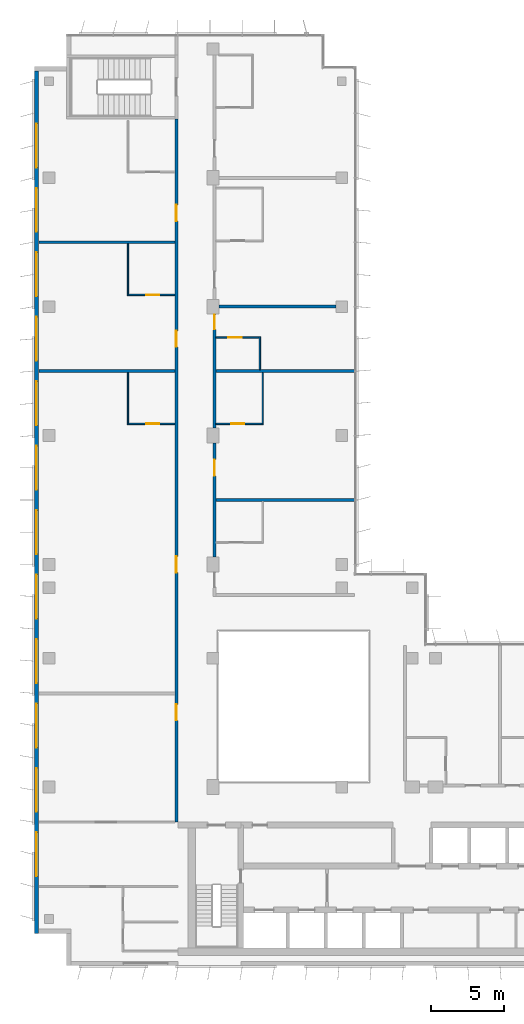
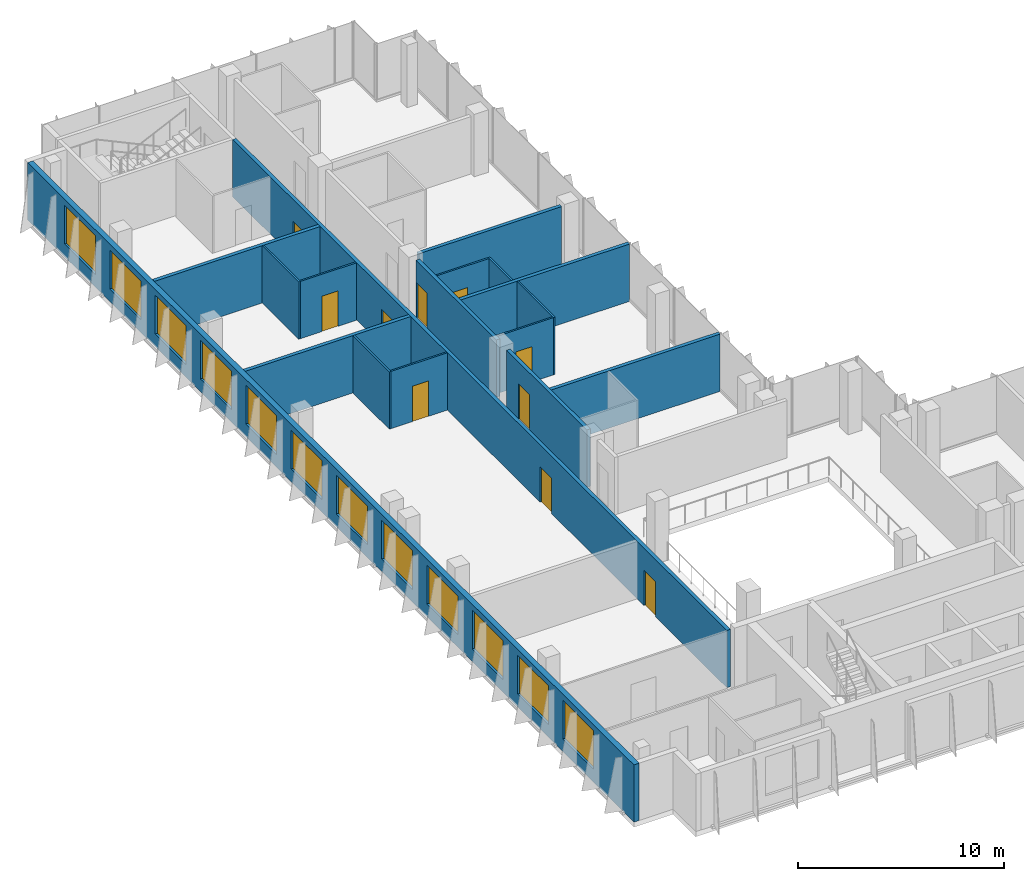
# One storey, part 11 of 15: 17 walls, 12 windows, 10 doors, 22 openings.
"""IFC4 building model written with IfcOpenShell, lengths in metres."""

from ifc_helpers import new_model, si_unit, direction, frame, frame_2d, origin, place, context, subcontext, project, spatial, rectangle, extrude, material, layer, layer_set, type_object, element, fill, save


model = new_model("IFC4")

# Units and contexts
model_context = context("Model", 3, precision=1e-05, world=origin(), true_north=direction((0.0, 1.0)))
body_context = subcontext(model_context, "Body", "Model", "MODEL_VIEW")
ifc_project = project(units=[si_unit("LENGTHUNIT", "METRE"), si_unit("AREAUNIT", "SQUARE_METRE"), si_unit("VOLUMEUNIT", "CUBIC_METRE"), si_unit("PLANEANGLEUNIT", "RADIAN"), si_unit("MASSUNIT", "GRAM", prefix="KILO")], contexts=[model_context])

# Site, building, storey
site_placement = place(None, origin())
site = spatial("IfcSite", under=ifc_project, at=site_placement, CompositionType="ELEMENT")
building_placement = place(site_placement, origin())
building = spatial("IfcBuilding", under=site, at=building_placement, Name="Kemantara Hotel Tower", CompositionType="ELEMENT")
storey_placement = place(building_placement, frame((0.0, 0.0, 301.800048828125)))
storey = spatial("IfcBuildingStorey", under=building, at=storey_placement, Name="L76", CompositionType="ELEMENT", Elevation=301.800048828125)

# Wall, openings, windows
ifc_material_1 = material(Name="Bronze anodised aluminium cladding on insulated steel stud wall", Category="steel")
ifc_layer_1 = layer(ifc_material_1, 0.300048828125)
ifc_layer_set_1 = layer_set([ifc_layer_1], Name="Bronze anodised aluminium cladding on insulated steel stud wall")
wall_type_1 = type_object("IfcWallType", Name="BRONZE METAL-CLAD EXTERNAL WALL 300", PredefinedType="STANDARD", material=ifc_layer_set_1)
wall_1_placement = place(storey_placement, frame((0.14990234375, 61.10009765625, 0.0), z_axis=(0.0, 0.0, 1.0), x_axis=(0.0, -1.0, 0.0)))
wall_1 = element("IfcWall", 1, at=wall_1_placement, inside=storey, type_object=wall_type_1, Name="EXTERNAL WALL L76 T4-R05", PredefinedType="STANDARD", context=body_context, shape_type="SweptSolid", body=[
    extrude(rectangle(XDim=58.900146484375, YDim=0.300048828125, at=frame_2d((29.4501953125, 0.0))), origin(), (0.0, 0.0, 1.0), 3.39990234375),
])
opening_1_placement = place(wall_1_placement, frame((3.60009765625, 0.0, 0.75)))
opening_1 = element("IfcOpeningElement", 2, at=opening_1_placement, cuts=wall_1, Name="Opening W1", PredefinedType="OPENING", context=body_context, shape_type="SweptSolid", body=[
    extrude(rectangle(XDim=3.0, YDim=2.300048828125, at=frame_2d((1.5, 1.14990234375))), frame((0.0, 0.159912109375, 0.0), z_axis=(0.0, -1.0, 0.0), x_axis=(1.0, 0.0, 0.0)), (0.0, 0.0, 1.0), 0.320068359375),
])
opening_2_placement = place(wall_1_placement, frame((8.0, 0.0, 0.75)))
opening_2 = element("IfcOpeningElement", 3, at=opening_2_placement, cuts=wall_1, Name="Opening W1", PredefinedType="OPENING", context=body_context, shape_type="SweptSolid", body=[
    extrude(rectangle(XDim=3.0, YDim=2.300048828125, at=frame_2d((1.5, 1.14990234375))), frame((0.0, 0.159912109375, 0.0), z_axis=(0.0, -1.0, 0.0), x_axis=(1.0, 0.0, 0.0)), (0.0, 0.0, 1.0), 0.320068359375),
])
opening_3_placement = place(wall_1_placement, frame((12.39990234375, 0.0, 0.75)))
opening_3 = element("IfcOpeningElement", 4, at=opening_3_placement, cuts=wall_1, Name="Opening W1", PredefinedType="OPENING", context=body_context, shape_type="SweptSolid", body=[
    extrude(rectangle(XDim=3.0, YDim=2.300048828125, at=frame_2d((1.5, 1.14990234375))), frame((0.0, 0.159912109375, 0.0), z_axis=(0.0, -1.0, 0.0), x_axis=(1.0, 0.0, 0.0)), (0.0, 0.0, 1.0), 0.320068359375),
])
opening_4_placement = place(wall_1_placement, frame((16.800048828125, 0.0, 0.75)))
opening_4 = element("IfcOpeningElement", 5, at=opening_4_placement, cuts=wall_1, Name="Opening W1", PredefinedType="OPENING", context=body_context, shape_type="SweptSolid", body=[
    extrude(rectangle(XDim=3.0, YDim=2.300048828125, at=frame_2d((1.5, 1.14990234375))), frame((0.0, 0.159912109375, 0.0), z_axis=(0.0, -1.0, 0.0), x_axis=(1.0, 0.0, 0.0)), (0.0, 0.0, 1.0), 0.320068359375),
])
opening_5_placement = place(wall_1_placement, frame((21.199951171875, 0.0, 0.75)))
opening_5 = element("IfcOpeningElement", 6, at=opening_5_placement, cuts=wall_1, Name="Opening W1", PredefinedType="OPENING", context=body_context, shape_type="SweptSolid", body=[
    extrude(rectangle(XDim=3.0, YDim=2.300048828125, at=frame_2d((1.5, 1.14990234375))), frame((0.0, 0.159912109375, 0.0), z_axis=(0.0, -1.0, 0.0), x_axis=(1.0, 0.0, 0.0)), (0.0, 0.0, 1.0), 0.320068359375),
])
opening_6_placement = place(wall_1_placement, frame((25.60009765625, 0.0, 0.75)))
opening_6 = element("IfcOpeningElement", 7, at=opening_6_placement, cuts=wall_1, Name="Opening W1", PredefinedType="OPENING", context=body_context, shape_type="SweptSolid", body=[
    extrude(rectangle(XDim=3.0, YDim=2.300048828125, at=frame_2d((1.5, 1.14990234375))), frame((0.0, 0.159912109375, 0.0), z_axis=(0.0, -1.0, 0.0), x_axis=(1.0, 0.0, 0.0)), (0.0, 0.0, 1.0), 0.320068359375),
])
opening_7_placement = place(wall_1_placement, frame((30.0, 0.0, 0.75)))
opening_7 = element("IfcOpeningElement", 8, at=opening_7_placement, cuts=wall_1, Name="Opening W1", PredefinedType="OPENING", context=body_context, shape_type="SweptSolid", body=[
    extrude(rectangle(XDim=3.0, YDim=2.300048828125, at=frame_2d((1.5, 1.14990234375))), frame((0.0, 0.159912109375, 0.0), z_axis=(0.0, -1.0, 0.0), x_axis=(1.0, 0.0, 0.0)), (0.0, 0.0, 1.0), 0.320068359375),
])
opening_8_placement = place(wall_1_placement, frame((34.39990234375, 0.0, 0.75)))
opening_8 = element("IfcOpeningElement", 9, at=opening_8_placement, cuts=wall_1, Name="Opening W1", PredefinedType="OPENING", context=body_context, shape_type="SweptSolid", body=[
    extrude(rectangle(XDim=3.0, YDim=2.300048828125, at=frame_2d((1.5, 1.14990234375))), frame((0.0, 0.159912109375, 0.0), z_axis=(0.0, -1.0, 0.0), x_axis=(1.0, 0.0, 0.0)), (0.0, 0.0, 1.0), 0.320068359375),
])
opening_9_placement = place(wall_1_placement, frame((38.800048828125, 0.0, 0.75)))
opening_9 = element("IfcOpeningElement", 10, at=opening_9_placement, cuts=wall_1, Name="Opening W1", PredefinedType="OPENING", context=body_context, shape_type="SweptSolid", body=[
    extrude(rectangle(XDim=3.0, YDim=2.300048828125, at=frame_2d((1.5, 1.14990234375))), frame((0.0, 0.159912109375, 0.0), z_axis=(0.0, -1.0, 0.0), x_axis=(1.0, 0.0, 0.0)), (0.0, 0.0, 1.0), 0.320068359375),
])
opening_10_placement = place(wall_1_placement, frame((43.199951171875, 0.0, 0.75)))
opening_10 = element("IfcOpeningElement", 11, at=opening_10_placement, cuts=wall_1, Name="Opening W1", PredefinedType="OPENING", context=body_context, shape_type="SweptSolid", body=[
    extrude(rectangle(XDim=3.0, YDim=2.300048828125, at=frame_2d((1.5, 1.14990234375))), frame((0.0, 0.159912109375, 0.0), z_axis=(0.0, -1.0, 0.0), x_axis=(1.0, 0.0, 0.0)), (0.0, 0.0, 1.0), 0.320068359375),
])
opening_11_placement = place(wall_1_placement, frame((47.60009765625, 0.0, 0.75)))
opening_11 = element("IfcOpeningElement", 12, at=opening_11_placement, cuts=wall_1, Name="Opening W1", PredefinedType="OPENING", context=body_context, shape_type="SweptSolid", body=[
    extrude(rectangle(XDim=3.0, YDim=2.300048828125, at=frame_2d((1.5, 1.14990234375))), frame((0.0, 0.159912109375, 0.0), z_axis=(0.0, -1.0, 0.0), x_axis=(1.0, 0.0, 0.0)), (0.0, 0.0, 1.0), 0.320068359375),
])
opening_12_placement = place(wall_1_placement, frame((52.0, 0.0, 0.75)))
opening_12 = element("IfcOpeningElement", 13, at=opening_12_placement, cuts=wall_1, Name="Opening W1", PredefinedType="OPENING", context=body_context, shape_type="SweptSolid", body=[
    extrude(rectangle(XDim=3.0, YDim=2.300048828125, at=frame_2d((1.5, 1.14990234375))), frame((0.0, 0.159912109375, 0.0), z_axis=(0.0, -1.0, 0.0), x_axis=(1.0, 0.0, 0.0)), (0.0, 0.0, 1.0), 0.320068359375),
])
ifc_material_2 = material(Name="Low-E tinted double insulated glass in bronze anodised aluminium frame", Category="aluminium")
window_type = type_object("IfcWindowType", Name="CHICAGO WINDOW, TRIPLE PANEL 3000x2300", PartitioningType="TRIPLE_PANEL_VERTICAL", PredefinedType="WINDOW", material=ifc_material_2)
window_1_placement = place(opening_1_placement, origin())
window_1 = element("IfcWindow", 14, at=window_1_placement, inside=storey, type_object=window_type, Name="CHICAGO WINDOW L76 T4-R05-54", OverallHeight=2.300048828125, OverallWidth=3.0, PartitioningType="SINGLE_PANEL", PredefinedType="WINDOW", context=body_context, shape_type="SweptSolid", body=[
    extrude(rectangle(XDim=3.0, YDim=2.300048828125, at=frame_2d((1.5, 1.14990234375))), frame((0.0, 0.030029296875, 0.0), z_axis=(0.0, -1.0, 0.0), x_axis=(1.0, 0.0, 0.0)), (0.0, 0.0, 1.0), 0.06005859375),
])
fill(opening_1, window_1)
window_2_placement = place(opening_2_placement, origin())
window_2 = element("IfcWindow", 15, at=window_2_placement, inside=storey, type_object=window_type, Name="CHICAGO WINDOW L76 T4-R05-98", OverallHeight=2.300048828125, OverallWidth=3.0, PartitioningType="SINGLE_PANEL", PredefinedType="WINDOW", context=body_context, shape_type="SweptSolid", body=[
    extrude(rectangle(XDim=3.0, YDim=2.300048828125, at=frame_2d((1.5, 1.14990234375))), frame((0.0, 0.030029296875, 0.0), z_axis=(0.0, -1.0, 0.0), x_axis=(1.0, 0.0, 0.0)), (0.0, 0.0, 1.0), 0.06005859375),
])
fill(opening_2, window_2)
window_3_placement = place(opening_3_placement, origin())
window_3 = element("IfcWindow", 16, at=window_3_placement, inside=storey, type_object=window_type, Name="CHICAGO WINDOW L76 T4-R05-142", OverallHeight=2.300048828125, OverallWidth=3.0, PartitioningType="SINGLE_PANEL", PredefinedType="WINDOW", context=body_context, shape_type="SweptSolid", body=[
    extrude(rectangle(XDim=3.0, YDim=2.300048828125, at=frame_2d((1.5, 1.14990234375))), frame((0.0, 0.030029296875, 0.0), z_axis=(0.0, -1.0, 0.0), x_axis=(1.0, 0.0, 0.0)), (0.0, 0.0, 1.0), 0.06005859375),
])
fill(opening_3, window_3)
window_4_placement = place(opening_4_placement, origin())
window_4 = element("IfcWindow", 17, at=window_4_placement, inside=storey, type_object=window_type, Name="CHICAGO WINDOW L76 T4-R05-186", OverallHeight=2.300048828125, OverallWidth=3.0, PartitioningType="SINGLE_PANEL", PredefinedType="WINDOW", context=body_context, shape_type="SweptSolid", body=[
    extrude(rectangle(XDim=3.0, YDim=2.300048828125, at=frame_2d((1.5, 1.14990234375))), frame((0.0, 0.030029296875, 0.0), z_axis=(0.0, -1.0, 0.0), x_axis=(1.0, 0.0, 0.0)), (0.0, 0.0, 1.0), 0.06005859375),
])
fill(opening_4, window_4)
window_5_placement = place(opening_5_placement, origin())
window_5 = element("IfcWindow", 18, at=window_5_placement, inside=storey, type_object=window_type, Name="CHICAGO WINDOW L76 T4-R05-230", OverallHeight=2.300048828125, OverallWidth=3.0, PartitioningType="SINGLE_PANEL", PredefinedType="WINDOW", context=body_context, shape_type="SweptSolid", body=[
    extrude(rectangle(XDim=3.0, YDim=2.300048828125, at=frame_2d((1.5, 1.14990234375))), frame((0.0, 0.030029296875, 0.0), z_axis=(0.0, -1.0, 0.0), x_axis=(1.0, 0.0, 0.0)), (0.0, 0.0, 1.0), 0.06005859375),
])
fill(opening_5, window_5)
window_6_placement = place(opening_6_placement, origin())
window_6 = element("IfcWindow", 19, at=window_6_placement, inside=storey, type_object=window_type, Name="CHICAGO WINDOW L76 T4-R05-274", OverallHeight=2.300048828125, OverallWidth=3.0, PartitioningType="SINGLE_PANEL", PredefinedType="WINDOW", context=body_context, shape_type="SweptSolid", body=[
    extrude(rectangle(XDim=3.0, YDim=2.300048828125, at=frame_2d((1.5, 1.14990234375))), frame((0.0, 0.030029296875, 0.0), z_axis=(0.0, -1.0, 0.0), x_axis=(1.0, 0.0, 0.0)), (0.0, 0.0, 1.0), 0.06005859375),
])
fill(opening_6, window_6)
window_7_placement = place(opening_7_placement, origin())
window_7 = element("IfcWindow", 20, at=window_7_placement, inside=storey, type_object=window_type, Name="CHICAGO WINDOW L76 T4-R05-318", OverallHeight=2.300048828125, OverallWidth=3.0, PartitioningType="SINGLE_PANEL", PredefinedType="WINDOW", context=body_context, shape_type="SweptSolid", body=[
    extrude(rectangle(XDim=3.0, YDim=2.300048828125, at=frame_2d((1.5, 1.14990234375))), frame((0.0, 0.030029296875, 0.0), z_axis=(0.0, -1.0, 0.0), x_axis=(1.0, 0.0, 0.0)), (0.0, 0.0, 1.0), 0.06005859375),
])
fill(opening_7, window_7)
window_8_placement = place(opening_8_placement, origin())
window_8 = element("IfcWindow", 21, at=window_8_placement, inside=storey, type_object=window_type, Name="CHICAGO WINDOW L76 T4-R05-362", OverallHeight=2.300048828125, OverallWidth=3.0, PartitioningType="SINGLE_PANEL", PredefinedType="WINDOW", context=body_context, shape_type="SweptSolid", body=[
    extrude(rectangle(XDim=3.0, YDim=2.300048828125, at=frame_2d((1.5, 1.14990234375))), frame((0.0, 0.030029296875, 0.0), z_axis=(0.0, -1.0, 0.0), x_axis=(1.0, 0.0, 0.0)), (0.0, 0.0, 1.0), 0.06005859375),
])
fill(opening_8, window_8)
window_9_placement = place(opening_9_placement, origin())
window_9 = element("IfcWindow", 22, at=window_9_placement, inside=storey, type_object=window_type, Name="CHICAGO WINDOW L76 T4-R05-406", OverallHeight=2.300048828125, OverallWidth=3.0, PartitioningType="SINGLE_PANEL", PredefinedType="WINDOW", context=body_context, shape_type="SweptSolid", body=[
    extrude(rectangle(XDim=3.0, YDim=2.300048828125, at=frame_2d((1.5, 1.14990234375))), frame((0.0, 0.030029296875, 0.0), z_axis=(0.0, -1.0, 0.0), x_axis=(1.0, 0.0, 0.0)), (0.0, 0.0, 1.0), 0.06005859375),
])
fill(opening_9, window_9)
window_10_placement = place(opening_10_placement, origin())
window_10 = element("IfcWindow", 23, at=window_10_placement, inside=storey, type_object=window_type, Name="CHICAGO WINDOW L76 T4-R05-450", OverallHeight=2.300048828125, OverallWidth=3.0, PartitioningType="SINGLE_PANEL", PredefinedType="WINDOW", context=body_context, shape_type="SweptSolid", body=[
    extrude(rectangle(XDim=3.0, YDim=2.300048828125, at=frame_2d((1.5, 1.14990234375))), frame((0.0, 0.030029296875, 0.0), z_axis=(0.0, -1.0, 0.0), x_axis=(1.0, 0.0, 0.0)), (0.0, 0.0, 1.0), 0.06005859375),
])
fill(opening_10, window_10)
window_11_placement = place(opening_11_placement, origin())
window_11 = element("IfcWindow", 24, at=window_11_placement, inside=storey, type_object=window_type, Name="CHICAGO WINDOW L76 T4-R05-494", OverallHeight=2.300048828125, OverallWidth=3.0, PartitioningType="SINGLE_PANEL", PredefinedType="WINDOW", context=body_context, shape_type="SweptSolid", body=[
    extrude(rectangle(XDim=3.0, YDim=2.300048828125, at=frame_2d((1.5, 1.14990234375))), frame((0.0, 0.030029296875, 0.0), z_axis=(0.0, -1.0, 0.0), x_axis=(1.0, 0.0, 0.0)), (0.0, 0.0, 1.0), 0.06005859375),
])
fill(opening_11, window_11)
window_12_placement = place(opening_12_placement, origin())
window_12 = element("IfcWindow", 25, at=window_12_placement, inside=storey, type_object=window_type, Name="CHICAGO WINDOW L76 T4-R05-538", OverallHeight=2.300048828125, OverallWidth=3.0, PartitioningType="SINGLE_PANEL", PredefinedType="WINDOW", context=body_context, shape_type="SweptSolid", body=[
    extrude(rectangle(XDim=3.0, YDim=2.300048828125, at=frame_2d((1.5, 1.14990234375))), frame((0.0, 0.030029296875, 0.0), z_axis=(0.0, -1.0, 0.0), x_axis=(1.0, 0.0, 0.0)), (0.0, 0.0, 1.0), 0.06005859375),
])
fill(opening_12, window_12)

# Wall, openings, doors
ifc_material_3 = material(Name="Gypsum board partition, steel studs and mineral wool, 200 mm", Category="steel")
ifc_layer_2 = layer(ifc_material_3, 0.199951171875)
ifc_layer_set_2 = layer_set([ifc_layer_2], Name="Gypsum board partition, steel studs and mineral wool, 200 mm")
wall_type_2 = type_object("IfcWallType", Name="CORRIDOR WALL 200", PredefinedType="PARTITIONING", material=ifc_layer_set_2)
wall_2_placement = place(storey_placement, frame((9.699951171875, 9.800048828125, 0.0), z_axis=(0.0, 0.0, 1.0), x_axis=(0.0, 1.0, 0.0)))
wall_2 = element("IfcWall", 26, at=wall_2_placement, inside=storey, type_object=wall_type_2, Name="CORRIDOR WALL 200 008", PredefinedType="PARTITIONING", context=body_context, shape_type="SweptSolid", body=[
    extrude(rectangle(XDim=48.0, YDim=0.199951171875, at=frame_2d((24.0, 0.0))), origin(), (0.0, 0.0, 1.0), 3.39990234375),
])
opening_13_placement = place(wall_2_placement, frame((6.949951171875, 0.0, 0.0)))
opening_13 = element("IfcOpeningElement", 27, at=opening_13_placement, cuts=wall_2, Name="Opening F37-009", PredefinedType="OPENING", context=body_context, shape_type="SweptSolid", body=[
    extrude(rectangle(XDim=1.10009765625, YDim=2.10009765625, at=frame_2d((0.550048828125, 1.050048828125))), frame((0.0, 0.10986328125, 0.0), z_axis=(0.0, -1.0, 0.0), x_axis=(1.0, 0.0, 0.0)), (0.0, 0.0, 1.0), 0.219970703125),
])
opening_14_placement = place(wall_2_placement, frame((17.050048828125, 0.0, 0.0)))
opening_14 = element("IfcOpeningElement", 28, at=opening_14_placement, cuts=wall_2, Name="Opening F37-014", PredefinedType="OPENING", context=body_context, shape_type="SweptSolid", body=[
    extrude(rectangle(XDim=1.10009765625, YDim=2.10009765625, at=frame_2d((0.550048828125, 1.050048828125))), frame((0.0, 0.10986328125, 0.0), z_axis=(0.0, -1.0, 0.0), x_axis=(1.0, 0.0, 0.0)), (0.0, 0.0, 1.0), 0.219970703125),
])
opening_15_placement = place(wall_2_placement, frame((32.449951171875, 0.0, 0.0)))
opening_15 = element("IfcOpeningElement", 29, at=opening_15_placement, cuts=wall_2, Name="Opening F37-016", PredefinedType="OPENING", context=body_context, shape_type="SweptSolid", body=[
    extrude(rectangle(XDim=1.10009765625, YDim=2.10009765625, at=frame_2d((0.550048828125, 1.050048828125))), frame((0.0, 0.10986328125, 0.0), z_axis=(0.0, -1.0, 0.0), x_axis=(1.0, 0.0, 0.0)), (0.0, 0.0, 1.0), 0.219970703125),
])
opening_16_placement = place(wall_2_placement, frame((41.050048828125, 0.0, 0.0)))
opening_16 = element("IfcOpeningElement", 30, at=opening_16_placement, cuts=wall_2, Name="Opening F37-018", PredefinedType="OPENING", context=body_context, shape_type="SweptSolid", body=[
    extrude(rectangle(XDim=1.10009765625, YDim=2.10009765625, at=frame_2d((0.550048828125, 1.050048828125))), frame((0.0, 0.10986328125, 0.0), z_axis=(0.0, -1.0, 0.0), x_axis=(1.0, 0.0, 0.0)), (0.0, 0.0, 1.0), 0.219970703125),
])
ifc_material_4 = material(Name="Hardwood veneer door leaf with steel frame", Category="steel")
door_type_1 = type_object("IfcDoorType", Name="SUITE ENTRANCE DOOR 1100 X 2100 FD30S", OperationType="NOTDEFINED", PredefinedType="DOOR", material=ifc_material_4)
door_1_placement = place(opening_13_placement, origin())
door_1 = element("IfcDoor", 31, at=door_1_placement, inside=storey, type_object=door_type_1, Name="SUITE ENTRANCE DOOR F37-009", OperationType="SINGLE_SWING_RIGHT", OverallHeight=2.10009765625, OverallWidth=1.10009765625, PredefinedType="DOOR", context=body_context, shape_type="SweptSolid", body=[
    extrude(rectangle(XDim=1.10009765625, YDim=2.10009765625, at=frame_2d((0.550048828125, 1.050048828125))), frame((0.0, 0.02490234375, 0.0), z_axis=(0.0, -1.0, 0.0), x_axis=(1.0, 0.0, 0.0)), (0.0, 0.0, 1.0), 0.050048828125),
])
fill(opening_13, door_1)
door_2_placement = place(opening_14_placement, origin())
door_2 = element("IfcDoor", 32, at=door_2_placement, inside=storey, type_object=door_type_1, Name="SUITE ENTRANCE DOOR F37-014", OperationType="SINGLE_SWING_LEFT", OverallHeight=2.10009765625, OverallWidth=1.10009765625, PredefinedType="DOOR", context=body_context, shape_type="SweptSolid", body=[
    extrude(rectangle(XDim=1.10009765625, YDim=2.10009765625, at=frame_2d((0.550048828125, 1.050048828125))), frame((0.0, 0.02490234375, 0.0), z_axis=(0.0, -1.0, 0.0), x_axis=(1.0, 0.0, 0.0)), (0.0, 0.0, 1.0), 0.050048828125),
])
fill(opening_14, door_2)
door_3_placement = place(opening_15_placement, origin())
door_3 = element("IfcDoor", 33, at=door_3_placement, inside=storey, type_object=door_type_1, Name="SUITE ENTRANCE DOOR F37-016", OperationType="SINGLE_SWING_LEFT", OverallHeight=2.10009765625, OverallWidth=1.10009765625, PredefinedType="DOOR", context=body_context, shape_type="SweptSolid", body=[
    extrude(rectangle(XDim=1.10009765625, YDim=2.10009765625, at=frame_2d((0.550048828125, 1.050048828125))), frame((0.0, 0.02490234375, 0.0), z_axis=(0.0, -1.0, 0.0), x_axis=(1.0, 0.0, 0.0)), (0.0, 0.0, 1.0), 0.050048828125),
])
fill(opening_15, door_3)
door_4_placement = place(opening_16_placement, origin())
door_4 = element("IfcDoor", 34, at=door_4_placement, inside=storey, type_object=door_type_1, Name="SUITE ENTRANCE DOOR F37-018", OperationType="SINGLE_SWING_LEFT", OverallHeight=2.10009765625, OverallWidth=1.10009765625, PredefinedType="DOOR", context=body_context, shape_type="SweptSolid", body=[
    extrude(rectangle(XDim=1.10009765625, YDim=2.10009765625, at=frame_2d((0.550048828125, 1.050048828125))), frame((0.0, 0.02490234375, 0.0), z_axis=(0.0, -1.0, 0.0), x_axis=(1.0, 0.0, 0.0)), (0.0, 0.0, 1.0), 0.050048828125),
])
fill(opening_16, door_4)

# Wall, opening, door
wall_3_placement = place(storey_placement, frame((12.300048828125, 35.699951171875, 0.0), z_axis=(0.0, 0.0, 1.0), x_axis=(0.0, -1.0, 0.0)))
wall_3 = element("IfcWall", 35, at=wall_3_placement, inside=storey, type_object=wall_type_2, Name="CORRIDOR WALL 200 015", PredefinedType="PARTITIONING", context=body_context, shape_type="SweptSolid", body=[
    extrude(rectangle(XDim=7.7998046875, YDim=0.199951171875, at=frame_2d((3.89990234375, 0.0))), origin(), (0.0, 0.0, 1.0), 3.39990234375),
])
opening_17_placement = place(wall_3_placement, frame((1.14990234375, 0.0, 0.0)))
opening_17 = element("IfcOpeningElement", 36, at=opening_17_placement, cuts=wall_3, Name="Opening F37-022", PredefinedType="OPENING", context=body_context, shape_type="SweptSolid", body=[
    extrude(rectangle(XDim=1.10009765625, YDim=2.10009765625, at=frame_2d((0.550048828125, 1.050048828125))), frame((0.0, 0.10986328125, 0.0), z_axis=(0.0, -1.0, 0.0), x_axis=(1.0, 0.0, 0.0)), (0.0, 0.0, 1.0), 0.219970703125),
])
door_5_placement = place(opening_17_placement, origin())
door_5 = element("IfcDoor", 37, at=door_5_placement, inside=storey, type_object=door_type_1, Name="SUITE ENTRANCE DOOR F37-022", OperationType="SINGLE_SWING_RIGHT", OverallHeight=2.10009765625, OverallWidth=1.10009765625, PredefinedType="DOOR", context=body_context, shape_type="SweptSolid", body=[
    extrude(rectangle(XDim=1.10009765625, YDim=2.10009765625, at=frame_2d((0.550048828125, 1.050048828125))), frame((0.0, 0.02490234375, 0.0), z_axis=(0.0, -1.0, 0.0), x_axis=(1.0, 0.0, 0.0)), (0.0, 0.0, 1.0), 0.050048828125),
])
fill(opening_17, door_5)

wall_4_placement = place(storey_placement, frame((12.300048828125, 44.5, 0.0), z_axis=(0.0, 0.0, 1.0), x_axis=(0.0, -1.0, 0.0)))
wall_4 = element("IfcWall", 38, at=wall_4_placement, inside=storey, type_object=wall_type_2, Name="CORRIDOR WALL 200 016", PredefinedType="PARTITIONING", context=body_context, shape_type="SweptSolid", body=[
    extrude(rectangle(XDim=7.7998046875, YDim=0.199951171875, at=frame_2d((3.89990234375, 0.0))), origin(), (0.0, 0.0, 1.0), 3.39990234375),
])
opening_18_placement = place(wall_4_placement, frame((0.0498046875, 0.0, 0.0)))
opening_18 = element("IfcOpeningElement", 39, at=opening_18_placement, cuts=wall_4, Name="Opening F37-024", PredefinedType="OPENING", context=body_context, shape_type="SweptSolid", body=[
    extrude(rectangle(XDim=1.0, YDim=2.10009765625, at=frame_2d((0.5, 1.050048828125))), frame((0.0, 0.10986328125, 0.0), z_axis=(0.0, -1.0, 0.0), x_axis=(1.0, 0.0, 0.0)), (0.0, 0.0, 1.0), 0.219970703125),
])
door_type_2 = type_object("IfcDoorType", Name="GUEST ROOM DOOR 1000 X 2100 FD30S", OperationType="NOTDEFINED", PredefinedType="DOOR", material=ifc_material_4)
door_6_placement = place(opening_18_placement, origin())
door_6 = element("IfcDoor", 40, at=door_6_placement, inside=storey, type_object=door_type_2, Name="GUEST ROOM DOOR F37-024", OperationType="SINGLE_SWING_LEFT", OverallHeight=2.10009765625, OverallWidth=1.0, PredefinedType="DOOR", context=body_context, shape_type="SweptSolid", body=[
    extrude(rectangle(XDim=1.0, YDim=2.10009765625, at=frame_2d((0.5, 1.050048828125))), frame((0.0, 0.02490234375, 0.0), z_axis=(0.0, -1.0, 0.0), x_axis=(1.0, 0.0, 0.0)), (0.0, 0.0, 1.0), 0.050048828125),
])
fill(opening_18, door_6)

# Walls
ifc_layer_3 = layer(ifc_material_3, 0.199951171875)
ifc_layer_set_3 = layer_set([ifc_layer_3], Name="Gypsum board partition, steel studs and mineral wool, 200 mm")
wall_type_3 = type_object("IfcWallType", Name="GUEST ROOM PARTY WALL 200", PredefinedType="PARTITIONING", material=ifc_layer_set_3)
wall_5_placement = place(storey_placement, frame((0.31005859375, 40.60009765625, 0.0), z_axis=(0.0, 0.0, 1.0), x_axis=(1.0, 0.0, 0.0)))
element("IfcWall", 41, at=wall_5_placement, inside=storey, type_object=wall_type_3, Name="GUEST ROOM PARTY WALL 200 011", PredefinedType="PARTITIONING", context=body_context, shape_type="SweptSolid", body=[
    extrude(rectangle(XDim=9.2900390625, YDim=0.199951171875, at=frame_2d((4.64501953125, 0.0))), origin(), (0.0, 0.0, 1.0), 3.39990234375),
])
wall_6_placement = place(storey_placement, frame((12.39990234375, 40.60009765625, 0.0), z_axis=(0.0, 0.0, 1.0), x_axis=(1.0, 0.0, 0.0)))
element("IfcWall", 42, at=wall_6_placement, inside=storey, type_object=wall_type_3, Name="GUEST ROOM PARTY WALL 200 012", PredefinedType="PARTITIONING", context=body_context, shape_type="SweptSolid", body=[
    extrude(rectangle(XDim=9.47021484375, YDim=0.199951171875, at=frame_2d((4.735107421875, 0.0))), origin(), (0.0, 0.0, 1.0), 3.39990234375),
])
wall_7_placement = place(storey_placement, frame((0.31005859375, 49.39990234375, 0.0), z_axis=(0.0, 0.0, 1.0), x_axis=(1.0, 0.0, 0.0)))
element("IfcWall", 43, at=wall_7_placement, inside=storey, type_object=wall_type_3, Name="GUEST ROOM PARTY WALL 200 013", PredefinedType="PARTITIONING", context=body_context, shape_type="SweptSolid", body=[
    extrude(rectangle(XDim=9.2900390625, YDim=0.199951171875, at=frame_2d((4.64501953125, 0.0))), origin(), (0.0, 0.0, 1.0), 3.39990234375),
])
wall_8_placement = place(storey_placement, frame((12.39990234375, 31.800048828125, 0.0), z_axis=(0.0, 0.0, 1.0), x_axis=(1.0, 0.0, 0.0)))
element("IfcWall", 44, at=wall_8_placement, inside=storey, type_object=wall_type_3, Name="GUEST ROOM PARTY WALL 200 020", PredefinedType="PARTITIONING", context=body_context, shape_type="SweptSolid", body=[
    extrude(rectangle(XDim=9.47021484375, YDim=0.199951171875, at=frame_2d((4.735107421875, 0.0))), origin(), (0.0, 0.0, 1.0), 3.39990234375),
])
wall_9_placement = place(storey_placement, frame((12.60009765625, 45.0, 0.0), z_axis=(0.0, 0.0, 1.0), x_axis=(1.0, 0.0, 0.0)))
element("IfcWall", 45, at=wall_9_placement, inside=storey, type_object=wall_type_3, Name="GUEST ROOM PARTY WALL 200 021", PredefinedType="PARTITIONING", context=body_context, shape_type="SweptSolid", body=[
    extrude(rectangle(XDim=7.999755859375, YDim=0.199951171875, at=frame_2d((4.0, 0.0))), origin(), (0.0, 0.0, 1.0), 3.39990234375),
])
ifc_material_5 = material(Name="Gypsum board partition on steel studs, 100 mm", Category="steel")
ifc_layer_4 = layer(ifc_material_5, 0.10009765625)
ifc_layer_set_4 = layer_set([ifc_layer_4], Name="Gypsum board partition on steel studs, 100 mm")
wall_type_4 = type_object("IfcWallType", Name="ROOM PARTITION 100", PredefinedType="PARTITIONING", material=ifc_layer_set_4)
for number, where, z_axis, x_axis, name in (
    (46, (6.39990234375, 36.949951171875, 0.0), (0.0, 0.0, 1.0), (0.0, 1.0, 0.0), "ROOM PARTITION 100 036"),
    (47, (6.39990234375, 45.75, 0.0), (0.0, 0.0, 1.0), (0.0, 1.0, 0.0), "ROOM PARTITION 100 037"),
):
    element("IfcWall", number, at=place(storey_placement, frame(where, z_axis=z_axis, x_axis=x_axis)), inside=storey, type_object=wall_type_4, Name=name, PredefinedType="PARTITIONING", context=body_context, shape_type="SweptSolid", body=[
        extrude(rectangle(XDim=3.550048828125, YDim=0.10009765625, at=frame_2d((1.77490234375, 0.0))), origin(), (0.0, 0.0, 1.0), 3.39990234375),
    ])

# Wall, opening, door
wall_10_placement = place(storey_placement, frame((6.449951171875, 37.0, 0.0), z_axis=(0.0, 0.0, 1.0), x_axis=(1.0, 0.0, 0.0)))
wall_10 = element("IfcWall", 48, at=wall_10_placement, inside=storey, type_object=wall_type_4, Name="ROOM PARTITION 100 039", PredefinedType="PARTITIONING", context=body_context, shape_type="SweptSolid", body=[
    extrude(rectangle(XDim=3.150146484375, YDim=0.10009765625, at=frame_2d((1.5751953125, 0.0))), origin(), (0.0, 0.0, 1.0), 3.39990234375),
])
opening_19_placement = place(wall_10_placement, frame((1.199951171875, 0.0, 0.0)))
opening_19 = element("IfcOpeningElement", 49, at=opening_19_placement, cuts=wall_10, Name="Opening F37-015", PredefinedType="OPENING", context=body_context, shape_type="SweptSolid", body=[
    extrude(rectangle(XDim=0.89990234375, YDim=2.10009765625, at=frame_2d((0.449951171875, 1.050048828125))), frame((0.0, 0.06005859375, 0.0), z_axis=(0.0, -1.0, 0.0), x_axis=(1.0, 0.0, 0.0)), (0.0, 0.0, 1.0), 0.1201171875),
])
door_type_3 = type_object("IfcDoorType", Name="BATHROOM DOOR 900 X 2100", OperationType="NOTDEFINED", PredefinedType="DOOR", material=ifc_material_4)
door_7_placement = place(opening_19_placement, origin())
door_7 = element("IfcDoor", 50, at=door_7_placement, inside=storey, type_object=door_type_3, Name="BATHROOM DOOR F37-015", OperationType="SINGLE_SWING_RIGHT", OverallHeight=2.10009765625, OverallWidth=0.89990234375, PredefinedType="DOOR", context=body_context, shape_type="SweptSolid", body=[
    extrude(rectangle(XDim=0.89990234375, YDim=2.10009765625, at=frame_2d((0.449951171875, 1.050048828125))), frame((0.0, 0.02490234375, 0.0), z_axis=(0.0, -1.0, 0.0), x_axis=(1.0, 0.0, 0.0)), (0.0, 0.0, 1.0), 0.050048828125),
])
fill(opening_19, door_7)

wall_11_placement = place(storey_placement, frame((12.39990234375, 37.0, 0.0), z_axis=(0.0, 0.0, 1.0), x_axis=(1.0, 0.0, 0.0)))
wall_11 = element("IfcWall", 51, at=wall_11_placement, inside=storey, type_object=wall_type_4, Name="ROOM PARTITION 100 040", PredefinedType="PARTITIONING", context=body_context, shape_type="SweptSolid", body=[
    extrude(rectangle(XDim=3.150146484375, YDim=0.10009765625, at=frame_2d((1.5751953125, 0.0))), origin(), (0.0, 0.0, 1.0), 3.39990234375),
])
opening_20_placement = place(wall_11_placement, frame((1.050048828125, 0.0, 0.0)))
opening_20 = element("IfcOpeningElement", 52, at=opening_20_placement, cuts=wall_11, Name="Opening F37-023", PredefinedType="OPENING", context=body_context, shape_type="SweptSolid", body=[
    extrude(rectangle(XDim=0.89990234375, YDim=2.10009765625, at=frame_2d((0.449951171875, 1.050048828125))), frame((0.0, 0.06005859375, 0.0), z_axis=(0.0, -1.0, 0.0), x_axis=(1.0, 0.0, 0.0)), (0.0, 0.0, 1.0), 0.1201171875),
])
door_8_placement = place(opening_20_placement, origin())
door_8 = element("IfcDoor", 53, at=door_8_placement, inside=storey, type_object=door_type_3, Name="BATHROOM DOOR F37-023", OperationType="SINGLE_SWING_LEFT", OverallHeight=2.10009765625, OverallWidth=0.89990234375, PredefinedType="DOOR", context=body_context, shape_type="SweptSolid", body=[
    extrude(rectangle(XDim=0.89990234375, YDim=2.10009765625, at=frame_2d((0.449951171875, 1.050048828125))), frame((0.0, 0.02490234375, 0.0), z_axis=(0.0, -1.0, 0.0), x_axis=(1.0, 0.0, 0.0)), (0.0, 0.0, 1.0), 0.050048828125),
])
fill(opening_20, door_8)

wall_12_placement = place(storey_placement, frame((6.449951171875, 45.800048828125, 0.0), z_axis=(0.0, 0.0, 1.0), x_axis=(1.0, 0.0, 0.0)))
wall_12 = element("IfcWall", 54, at=wall_12_placement, inside=storey, type_object=wall_type_4, Name="ROOM PARTITION 100 041", PredefinedType="PARTITIONING", context=body_context, shape_type="SweptSolid", body=[
    extrude(rectangle(XDim=3.150146484375, YDim=0.10009765625, at=frame_2d((1.5751953125, 0.0))), origin(), (0.0, 0.0, 1.0), 3.39990234375),
])
opening_21_placement = place(wall_12_placement, frame((1.199951171875, 0.0, 0.0)))
opening_21 = element("IfcOpeningElement", 55, at=opening_21_placement, cuts=wall_12, Name="Opening F37-017", PredefinedType="OPENING", context=body_context, shape_type="SweptSolid", body=[
    extrude(rectangle(XDim=0.89990234375, YDim=2.10009765625, at=frame_2d((0.449951171875, 1.050048828125))), frame((0.0, 0.06005859375, 0.0), z_axis=(0.0, -1.0, 0.0), x_axis=(1.0, 0.0, 0.0)), (0.0, 0.0, 1.0), 0.1201171875),
])
door_9_placement = place(opening_21_placement, origin())
door_9 = element("IfcDoor", 56, at=door_9_placement, inside=storey, type_object=door_type_3, Name="BATHROOM DOOR F37-017", OperationType="SINGLE_SWING_RIGHT", OverallHeight=2.10009765625, OverallWidth=0.89990234375, PredefinedType="DOOR", context=body_context, shape_type="SweptSolid", body=[
    extrude(rectangle(XDim=0.89990234375, YDim=2.10009765625, at=frame_2d((0.449951171875, 1.050048828125))), frame((0.0, 0.02490234375, 0.0), z_axis=(0.0, -1.0, 0.0), x_axis=(1.0, 0.0, 0.0)), (0.0, 0.0, 1.0), 0.050048828125),
])
fill(opening_21, door_9)

# Walls
wall_13_placement = place(storey_placement, frame((15.60009765625, 36.949951171875, 0.0), z_axis=(0.0, 0.0, 1.0), x_axis=(0.0, 1.0, 0.0)))
element("IfcWall", 57, at=wall_13_placement, inside=storey, type_object=wall_type_4, Name="ROOM PARTITION 100 044", PredefinedType="PARTITIONING", context=body_context, shape_type="SweptSolid", body=[
    extrude(rectangle(XDim=3.550048828125, YDim=0.10009765625, at=frame_2d((1.77490234375, 0.0))), origin(), (0.0, 0.0, 1.0), 3.39990234375),
])
wall_14_placement = place(storey_placement, frame((15.39990234375, 40.699951171875, 0.0), z_axis=(0.0, 0.0, 1.0), x_axis=(0.0, 1.0, 0.0)))
element("IfcWall", 58, at=wall_14_placement, inside=storey, type_object=wall_type_4, Name="ROOM PARTITION 100 047", PredefinedType="PARTITIONING", context=body_context, shape_type="SweptSolid", body=[
    extrude(rectangle(XDim=2.25, YDim=0.10009765625, at=frame_2d((1.125, 0.0))), origin(), (0.0, 0.0, 1.0), 3.39990234375),
])

# Wall, opening, door
wall_15_placement = place(storey_placement, frame((15.35009765625, 42.89990234375, 0.0), z_axis=(0.0, 0.0, 1.0), x_axis=(-1.0, 0.0, 0.0)))
wall_15 = element("IfcWall", 59, at=wall_15_placement, inside=storey, type_object=wall_type_4, Name="ROOM PARTITION 100 048", PredefinedType="PARTITIONING", context=body_context, shape_type="SweptSolid", body=[
    extrude(rectangle(XDim=2.9501953125, YDim=0.10009765625, at=frame_2d((1.47509765625, 0.0))), origin(), (0.0, 0.0, 1.0), 3.39990234375),
])
opening_22_placement = place(wall_15_placement, frame((1.199951171875, 0.0, 0.0)))
opening_22 = element("IfcOpeningElement", 60, at=opening_22_placement, cuts=wall_15, Name="Opening F37-025", PredefinedType="OPENING", context=body_context, shape_type="SweptSolid", body=[
    extrude(rectangle(XDim=0.89990234375, YDim=2.10009765625, at=frame_2d((0.449951171875, 1.050048828125))), frame((0.0, 0.06005859375, 0.0), z_axis=(0.0, -1.0, 0.0), x_axis=(1.0, 0.0, 0.0)), (0.0, 0.0, 1.0), 0.1201171875),
])
door_10_placement = place(opening_22_placement, origin())
door_10 = element("IfcDoor", 61, at=door_10_placement, inside=storey, type_object=door_type_3, Name="BATHROOM DOOR F37-025", OperationType="SINGLE_SWING_RIGHT", OverallHeight=2.10009765625, OverallWidth=0.89990234375, PredefinedType="DOOR", context=body_context, shape_type="SweptSolid", body=[
    extrude(rectangle(XDim=0.89990234375, YDim=2.10009765625, at=frame_2d((0.449951171875, 1.050048828125))), frame((0.0, 0.02490234375, 0.0), z_axis=(0.0, -1.0, 0.0), x_axis=(1.0, 0.0, 0.0)), (0.0, 0.0, 1.0), 0.050048828125),
])
fill(opening_22, door_10)

save(model, "model.ifc")
